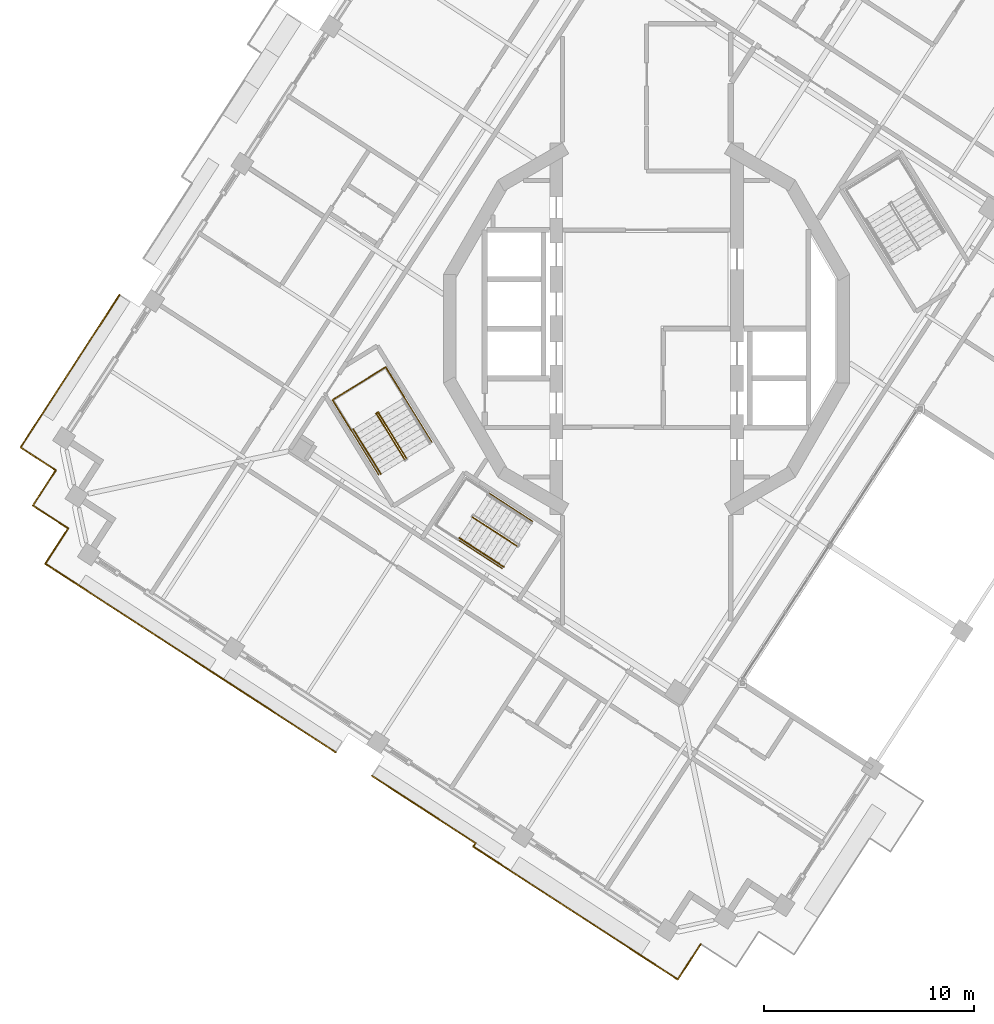
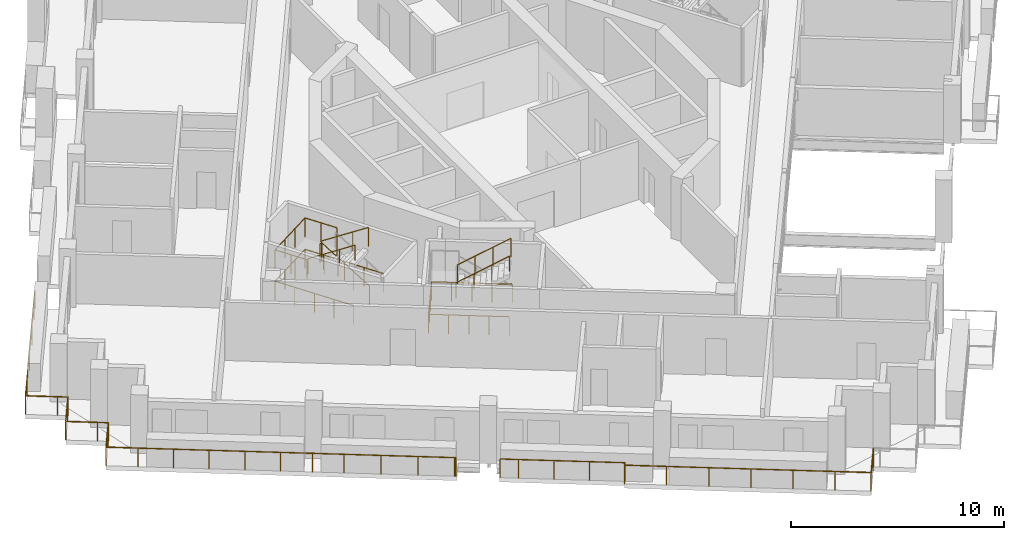
# One storey, part 12 of 17: 11 railings.
"""IFC4 building model written with IfcOpenShell, lengths in metres."""

from ifc_helpers import new_model, si_unit, direction, frame, origin, origin_2d, place, context, subcontext, project, spatial, circle, extrude, material, type_object, element, save


model = new_model("IFC4")

# Units and contexts
model_context = context("Model", 3, precision=1e-05, world=origin(), true_north=direction((0.0, 1.0)))
body_context = subcontext(model_context, "Body", "Model", "MODEL_VIEW")
ifc_project = project(units=[si_unit("LENGTHUNIT", "METRE"), si_unit("AREAUNIT", "SQUARE_METRE"), si_unit("VOLUMEUNIT", "CUBIC_METRE"), si_unit("PLANEANGLEUNIT", "RADIAN"), si_unit("MASSUNIT", "GRAM", prefix="KILO")], contexts=[model_context])

# Site, building, storey
site_placement = place(None, origin())
site = spatial("IfcSite", under=ifc_project, at=site_placement, CompositionType="ELEMENT")
building_placement = place(site_placement, origin())
building = spatial("IfcBuilding", under=site, at=building_placement, Name="Cantera Rosa Tower", CompositionType="ELEMENT")
storey_placement = place(building_placement, frame((0.0, 0.0, 254.10009765625)))
storey = spatial("IfcBuildingStorey", under=building, at=storey_placement, Name="L56", CompositionType="ELEMENT", Elevation=254.10009765625)

# Railings
ifc_material_1 = material(Name="Stainless steel and laminated glass", Category="steel")
railing_type_1 = type_object("IfcRailingType", Name="GUARD 1100", PredefinedType="BALUSTRADE", material=ifc_material_1)
railing_1_placement = place(storey_placement, frame((2.571533203125, -29.273193359375, 0.0)))
element("IfcRailing", 1, at=railing_1_placement, inside=storey, type_object=railing_type_1, Name="GUARD L56-1", PredefinedType="BALUSTRADE", context=body_context, shape_type="SweptSolid", body=[
    extrude(circle(Radius=0.030029296875, at=origin_2d()), frame((0.0, 0.0, 1.070068359375), z_axis=(-0.5443304008, -0.838870916629, 0.0), x_axis=(0.838870916629, -0.5443304008, 0.0)), (0.0, 0.0, 1.0), 0.300048828125),
    extrude(circle(Radius=0.030029296875, at=origin_2d()), frame((-0.163330078125, -0.251708984375, 1.070068359375), z_axis=(-0.544751065329, -0.83859780397, 0.0), x_axis=(0.83859780397, -0.544751065329, 0.0)), (0.0, 0.0, 1.0), 1.699951171875),
    extrude(circle(Radius=0.030029296875, at=origin_2d()), frame((-1.08935546875, -1.67724609375, 1.070068359375), z_axis=(-0.838663412569, 0.54465005317, 0.0), x_axis=(-0.54465005317, -0.838663412569, 0.0)), (0.0, 0.0, 1.0), 1.69970703125),
    extrude(circle(Radius=0.030029296875, at=origin_2d()), frame((-2.514892578125, -0.75146484375, 1.070068359375), z_axis=(-0.83867848478, 0.544626843964, 0.0), x_axis=(-0.544626843964, -0.83867848478, 0.0)), (0.0, 0.0, 1.0), 9.900146484375),
    extrude(circle(Radius=0.030029296875, at=origin_2d()), frame((-10.81787109375, 4.640380859375, 1.070068359375), z_axis=(0.544516215992, 0.838750314767, 0.0), x_axis=(-0.838750314767, 0.544516215992, 0.0)), (0.0, 0.0, 1.0), 0.199951171875),
    extrude(circle(Radius=0.030029296875, at=origin_2d()), frame((-10.708984375, 4.80810546875, 1.070068359375), z_axis=(-0.838653278808, 0.544665657027, 0.0), x_axis=(-0.544665657027, -0.838653278808, 0.0)), (0.0, 0.0, 1.0), 5.0),
    extrude(circle(Radius=0.030029296875, at=origin_2d()), frame((-14.90234375, 7.531494140625, 1.070068359375), z_axis=(-0.838725681888, 0.544554157584, 0.0), x_axis=(-0.544554157584, -0.838725681888, 0.0)), (0.0, 0.0, 1.0), 0.869873046875),
    extrude(circle(Radius=0.02490234375, at=origin_2d()), origin(), (0.0, 0.0, 1.0), 1.0400390625),
    extrude(circle(Radius=0.02490234375, at=origin_2d()), frame((-0.163330078125, -0.251708984375, 0.0)), (0.0, 0.0, 1.0), 1.0400390625),
    extrude(circle(Radius=0.02490234375, at=origin_2d()), frame((-1.08935546875, -1.67724609375, 0.0)), (0.0, 0.0, 1.0), 1.0400390625),
    extrude(circle(Radius=0.02490234375, at=origin_2d()), frame((-2.514892578125, -0.75146484375, 0.0)), (0.0, 0.0, 1.0), 1.0400390625),
    extrude(circle(Radius=0.02490234375, at=origin_2d()), frame((-4.175537109375, 0.326904296875, 0.0)), (0.0, 0.0, 1.0), 1.0400390625),
    extrude(circle(Radius=0.02490234375, at=origin_2d()), frame((-5.836181640625, 1.4052734375, 0.0)), (0.0, 0.0, 1.0), 1.0400390625),
    extrude(circle(Radius=0.02490234375, at=origin_2d()), frame((-7.49658203125, 2.483642578125, 0.0)), (0.0, 0.0, 1.0), 1.0400390625),
    extrude(circle(Radius=0.02490234375, at=origin_2d()), frame((-9.1572265625, 3.56201171875, 0.0)), (0.0, 0.0, 1.0), 1.0400390625),
    extrude(circle(Radius=0.02490234375, at=origin_2d()), frame((-10.81787109375, 4.640380859375, 0.0)), (0.0, 0.0, 1.0), 1.0400390625),
    extrude(circle(Radius=0.02490234375, at=origin_2d()), frame((-10.708984375, 4.80810546875, 0.0)), (0.0, 0.0, 1.0), 1.0400390625),
    extrude(circle(Radius=0.02490234375, at=origin_2d()), frame((-12.106689453125, 5.7158203125, 0.0)), (0.0, 0.0, 1.0), 1.0400390625),
    extrude(circle(Radius=0.02490234375, at=origin_2d()), frame((-13.504638671875, 6.623779296875, 0.0)), (0.0, 0.0, 1.0), 1.0400390625),
    extrude(circle(Radius=0.02490234375, at=origin_2d()), frame((-14.90234375, 7.531494140625, 0.0)), (0.0, 0.0, 1.0), 1.0400390625),
    extrude(circle(Radius=0.02490234375, at=origin_2d()), frame((-15.6318359375, 8.005126953125, 0.0)), (0.0, 0.0, 1.0), 1.0400390625),
])
railing_2_placement = place(storey_placement, frame((-28.3720703125, -7.151123046875, 0.0)))
element("IfcRailing", 2, at=railing_2_placement, inside=storey, type_object=railing_type_1, Name="GUARD L56-3", PredefinedType="BALUSTRADE", context=body_context, shape_type="SweptSolid", body=[
    extrude(circle(Radius=0.030029296875, at=origin_2d()), frame((0.0, 0.0, 1.070068359375), z_axis=(0.544627753175, 0.83867789435, 0.0), x_axis=(-0.83867789435, 0.544627753175, 0.0)), (0.0, 0.0, 1.0), 0.499755859375),
    extrude(circle(Radius=0.030029296875, at=origin_2d()), frame((0.272216796875, 0.419189453125, 1.070068359375), z_axis=(-0.838454772945, 0.544971186143, 0.0), x_axis=(-0.544971186143, -0.838454772945, 0.0)), (0.0, 0.0, 1.0), 0.5),
    extrude(circle(Radius=0.030029296875, at=origin_2d()), frame((-0.14697265625, 0.691650390625, 1.070068359375), z_axis=(-0.8387001057, 0.544593548161, 0.0), x_axis=(-0.544593548161, -0.8387001057, 0.0)), (0.0, 0.0, 1.0), 1.5),
    extrude(circle(Radius=0.030029296875, at=origin_2d()), frame((-1.405029296875, 1.508544921875, 1.070068359375), z_axis=(0.544593548161, 0.8387001057, 0.0), x_axis=(-0.8387001057, 0.544593548161, 0.0)), (0.0, 0.0, 1.0), 1.5),
    extrude(circle(Radius=0.030029296875, at=origin_2d()), frame((-0.588134765625, 2.7666015625, 1.070068359375), z_axis=(0.544645228423, 0.838666545867, 0.0), x_axis=(-0.838666545867, 0.544645228423, 0.0)), (0.0, 0.0, 1.0), 6.2783203125),
    extrude(circle(Radius=0.030029296875, at=origin_2d()), frame((2.831298828125, 8.031982421875, 1.070068359375), z_axis=(-0.832050294338, 0.554700196225, 0.0), x_axis=(-0.554700196225, -0.832050294338, 0.0)), (0.0, 0.0, 1.0), 0.001708984375),
    extrude(circle(Radius=0.030029296875, at=origin_2d()), frame((2.829833984375, 8.032958984375, 1.070068359375), z_axis=(0.544643812911, 0.838667465124, 0.0), x_axis=(-0.838667465124, 0.544643812911, 0.0)), (0.0, 0.0, 1.0), 0.871826171875),
    extrude(circle(Radius=0.02490234375, at=origin_2d()), origin(), (0.0, 0.0, 1.0), 1.0400390625),
    extrude(circle(Radius=0.02490234375, at=origin_2d()), frame((0.272216796875, 0.419189453125, 0.0)), (0.0, 0.0, 1.0), 1.0400390625),
    extrude(circle(Radius=0.02490234375, at=origin_2d()), frame((-0.14697265625, 0.691650390625, 0.0)), (0.0, 0.0, 1.0), 1.0400390625),
    extrude(circle(Radius=0.02490234375, at=origin_2d()), frame((-1.405029296875, 1.508544921875, 0.0)), (0.0, 0.0, 1.0), 1.0400390625),
    extrude(circle(Radius=0.02490234375, at=origin_2d()), frame((-0.588134765625, 2.7666015625, 0.0)), (0.0, 0.0, 1.0), 1.0400390625),
    extrude(circle(Radius=0.02490234375, at=origin_2d()), frame((0.5517578125, 4.521728515625, 0.0)), (0.0, 0.0, 1.0), 1.0400390625),
    extrude(circle(Radius=0.02490234375, at=origin_2d()), frame((1.69140625, 6.27685546875, 0.0)), (0.0, 0.0, 1.0), 1.0400390625),
    extrude(circle(Radius=0.02490234375, at=origin_2d()), frame((2.831298828125, 8.031982421875, 0.0)), (0.0, 0.0, 1.0), 1.0400390625),
    extrude(circle(Radius=0.02490234375, at=origin_2d()), frame((2.829833984375, 8.032958984375, 0.0)), (0.0, 0.0, 1.0), 1.0400390625),
    extrude(circle(Radius=0.02490234375, at=origin_2d()), frame((3.3046875, 8.76416015625, 0.0)), (0.0, 0.0, 1.0), 1.0400390625),
])
railing_3_placement = place(storey_placement, frame((-14.7880859375, -20.14599609375, 0.0)))
element("IfcRailing", 3, at=railing_3_placement, inside=storey, type_object=railing_type_1, Name="GUARD L56-4", PredefinedType="BALUSTRADE", context=body_context, shape_type="SweptSolid", body=[
    extrude(circle(Radius=0.030029296875, at=origin_2d()), frame((0.0, 0.0, 1.070068359375), z_axis=(-0.838443616301, 0.544988350595, 0.0), x_axis=(-0.544988350595, -0.838443616301, 0.0)), (0.0, 0.0, 1.0), 0.06982421875),
    extrude(circle(Radius=0.030029296875, at=origin_2d()), frame((-0.05859375, 0.0380859375, 1.070068359375), z_axis=(-0.838657010828, 0.544659910576, 0.0), x_axis=(-0.544659910576, -0.838657010828, 0.0)), (0.0, 0.0, 1.0), 5.2001953125),
    extrude(circle(Radius=0.030029296875, at=origin_2d()), frame((-4.419677734375, 2.870361328125, 1.070068359375), z_axis=(-0.8387001057, 0.544593548161, 0.0), x_axis=(-0.544593548161, -0.8387001057, 0.0)), (0.0, 0.0, 1.0), 3.0),
    extrude(circle(Radius=0.030029296875, at=origin_2d()), frame((-6.935791015625, 4.504150390625, 1.070068359375), z_axis=(-0.838666659313, 0.544645053734, 0.0), x_axis=(-0.544645053734, -0.838666659313, 0.0)), (0.0, 0.0, 1.0), 6.7001953125),
    extrude(circle(Radius=0.030029296875, at=origin_2d()), frame((-12.554931640625, 8.1533203125, 1.070068359375), z_axis=(-0.838651824232, 0.544667896716, 0.0), x_axis=(-0.544667896716, -0.838651824232, 0.0)), (0.0, 0.0, 1.0), 1.499755859375),
    extrude(circle(Radius=0.030029296875, at=origin_2d()), frame((-13.812744140625, 8.97021484375, 1.070068359375), z_axis=(0.544593548161, 0.8387001057, 0.0), x_axis=(-0.8387001057, 0.544593548161, 0.0)), (0.0, 0.0, 1.0), 1.5),
    extrude(circle(Radius=0.030029296875, at=origin_2d()), frame((-12.995849609375, 10.228271484375, 1.070068359375), z_axis=(0.544627753175, 0.83867789435, 0.0), x_axis=(-0.83867789435, 0.544627753175, 0.0)), (0.0, 0.0, 1.0), 0.499755859375),
    extrude(circle(Radius=0.030029296875, at=origin_2d()), frame((-12.7236328125, 10.6474609375, 1.070068359375), z_axis=(-0.838454772945, 0.544971186143, 0.0), x_axis=(-0.544971186143, -0.838454772945, 0.0)), (0.0, 0.0, 1.0), 0.5),
    extrude(circle(Radius=0.030029296875, at=origin_2d()), frame((-13.142822265625, 10.919921875, 1.070068359375), z_axis=(-0.8387001057, 0.544593548161, 0.0), x_axis=(-0.544593548161, -0.8387001057, 0.0)), (0.0, 0.0, 1.0), 1.5),
    extrude(circle(Radius=0.030029296875, at=origin_2d()), frame((-14.40087890625, 11.73681640625, 1.070068359375), z_axis=(0.544593548161, 0.8387001057, 0.0), x_axis=(-0.8387001057, 0.544593548161, 0.0)), (0.0, 0.0, 1.0), 1.5),
    extrude(circle(Radius=0.02490234375, at=origin_2d()), origin(), (0.0, 0.0, 1.0), 1.0400390625),
    extrude(circle(Radius=0.02490234375, at=origin_2d()), frame((-0.05859375, 0.0380859375, 0.0)), (0.0, 0.0, 1.0), 1.0400390625),
    extrude(circle(Radius=0.02490234375, at=origin_2d()), frame((-1.51220703125, 0.982177734375, 0.0)), (0.0, 0.0, 1.0), 1.0400390625),
    extrude(circle(Radius=0.02490234375, at=origin_2d()), frame((-2.966064453125, 1.92626953125, 0.0)), (0.0, 0.0, 1.0), 1.0400390625),
    extrude(circle(Radius=0.02490234375, at=origin_2d()), frame((-4.419677734375, 2.870361328125, 0.0)), (0.0, 0.0, 1.0), 1.0400390625),
    extrude(circle(Radius=0.02490234375, at=origin_2d()), frame((-5.677734375, 3.687255859375, 0.0)), (0.0, 0.0, 1.0), 1.0400390625),
    extrude(circle(Radius=0.02490234375, at=origin_2d()), frame((-6.935791015625, 4.504150390625, 0.0)), (0.0, 0.0, 1.0), 1.0400390625),
    extrude(circle(Radius=0.02490234375, at=origin_2d()), frame((-8.340576171875, 5.41650390625, 0.0)), (0.0, 0.0, 1.0), 1.0400390625),
    extrude(circle(Radius=0.02490234375, at=origin_2d()), frame((-9.745361328125, 6.32861328125, 0.0)), (0.0, 0.0, 1.0), 1.0400390625),
    extrude(circle(Radius=0.02490234375, at=origin_2d()), frame((-11.150146484375, 7.240966796875, 0.0)), (0.0, 0.0, 1.0), 1.0400390625),
    extrude(circle(Radius=0.02490234375, at=origin_2d()), frame((-12.554931640625, 8.1533203125, 0.0)), (0.0, 0.0, 1.0), 1.0400390625),
    extrude(circle(Radius=0.02490234375, at=origin_2d()), frame((-13.812744140625, 8.97021484375, 0.0)), (0.0, 0.0, 1.0), 1.0400390625),
    extrude(circle(Radius=0.02490234375, at=origin_2d()), frame((-12.995849609375, 10.228271484375, 0.0)), (0.0, 0.0, 1.0), 1.0400390625),
    extrude(circle(Radius=0.02490234375, at=origin_2d()), frame((-12.7236328125, 10.6474609375, 0.0)), (0.0, 0.0, 1.0), 1.0400390625),
    extrude(circle(Radius=0.02490234375, at=origin_2d()), frame((-13.142822265625, 10.919921875, 0.0)), (0.0, 0.0, 1.0), 1.0400390625),
    extrude(circle(Radius=0.02490234375, at=origin_2d()), frame((-14.40087890625, 11.73681640625, 0.0)), (0.0, 0.0, 1.0), 1.0400390625),
    extrude(circle(Radius=0.02490234375, at=origin_2d()), frame((-13.583984375, 12.994873046875, 0.0)), (0.0, 0.0, 1.0), 1.0400390625),
])
ifc_material_2 = material(Name="Steel S355J2 (EN 10025-2)", Category="steel")
railing_type_2 = type_object("IfcRailingType", Name="STAIR GUARD 1100", PredefinedType="GUARDRAIL", material=ifc_material_2)
railing_4_placement = place(storey_placement, frame((-11.42333984375, -6.165771484375, 0.179931640625)))
element("IfcRailing", 4, at=railing_4_placement, inside=storey, type_object=railing_type_2, Name="L56 ST-52 stair guard 1", PredefinedType="GUARDRAIL", context=body_context, shape_type="SweptSolid", body=[
    extrude(circle(Radius=0.02392578125, at=origin_2d()), frame((0.0, 0.0, 1.076171875), z_axis=(-0.441628529057, 0.715945124149, 0.540728047664), x_axis=(-0.851102330005, -0.524999832248, 0.0)), (0.0, 0.0, 1.0), 2.99560546875),
    extrude(circle(Radius=0.02392578125, at=origin_2d()), frame((-1.322998046875, 2.144775390625, 2.69580078125), z_axis=(-0.073711968402, 0.997279572494, 0.0), x_axis=(-0.997279572494, -0.073711968402, 0.0)), (0.0, 0.0, 1.0), 0.056396484375),
    extrude(circle(Radius=0.02392578125, at=origin_2d()), frame((-1.3271484375, 2.200927734375, 2.69580078125), z_axis=(-0.851546489876, -0.524279100842, 0.0), x_axis=(0.524279100842, -0.851546489876, 0.0)), (0.0, 0.0, 1.0), 0.14990234375),
    extrude(circle(Radius=0.02099609375, at=origin_2d()), origin(), (0.0, 0.0, 1.0), 1.052001953125),
    extrude(circle(Radius=0.02099609375, at=origin_2d()), frame((-0.44091796875, 0.71484375, 0.5400390625)), (0.0, 0.0, 1.0), 1.052001953125),
    extrude(circle(Radius=0.02099609375, at=origin_2d()), frame((-0.882080078125, 1.429931640625, 1.079833984375)), (0.0, 0.0, 1.0), 1.052001953125),
    extrude(circle(Radius=0.02099609375, at=origin_2d()), frame((-1.322998046875, 2.144775390625, 1.619873046875)), (0.0, 0.0, 1.0), 1.052001953125),
    extrude(circle(Radius=0.02099609375, at=origin_2d()), frame((-1.3271484375, 2.200927734375, 1.619873046875)), (0.0, 0.0, 1.0), 1.052001953125),
    extrude(circle(Radius=0.02099609375, at=origin_2d()), frame((-1.454833984375, 2.122314453125, 1.619873046875)), (0.0, 0.0, 1.0), 1.052001953125),
])
railing_5_placement = place(storey_placement, frame((-12.82958984375, -4.072509765625, 1.97998046875)))
element("IfcRailing", 5, at=railing_5_placement, inside=storey, type_object=railing_type_2, Name="L56 ST-52 stair guard 2", PredefinedType="GUARDRAIL", context=body_context, shape_type="SweptSolid", body=[
    extrude(circle(Radius=0.02392578125, at=origin_2d()), frame((0.0, 0.0, 1.076171875), z_axis=(0.441562923896, -0.715970890813, 0.540747508315), x_axis=(0.851145618652, 0.524929648476, 0.0)), (0.0, 0.0, 1.0), 2.99560546875),
    extrude(circle(Radius=0.02099609375, at=origin_2d()), origin(), (0.0, 0.0, 1.0), 1.052001953125),
    extrude(circle(Radius=0.02099609375, at=origin_2d()), frame((0.44091796875, -0.71484375, 0.5400390625)), (0.0, 0.0, 1.0), 1.052001953125),
    extrude(circle(Radius=0.02099609375, at=origin_2d()), frame((0.8818359375, -1.429931640625, 1.079833984375)), (0.0, 0.0, 1.0), 1.052001953125),
    extrude(circle(Radius=0.02099609375, at=origin_2d()), frame((1.32275390625, -2.144775390625, 1.619873046875)), (0.0, 0.0, 1.0), 1.052001953125),
])
railing_6_placement = place(storey_placement, frame((-10.20751953125, -5.40185546875, 0.0)))
element("IfcRailing", 6, at=railing_6_placement, inside=storey, type_object=railing_type_2, Name="L56 ST-52 stair guard 4", PredefinedType="GUARDRAIL", context=body_context, shape_type="SweptSolid", body=[
    extrude(circle(Radius=0.02392578125, at=origin_2d()), frame((0.0, 0.0, 1.076171875), z_axis=(-0.524976478809, 0.851116735059, 0.0), x_axis=(-0.851116735059, -0.524976478809, 0.0)), (0.0, 0.0, 1.0), 4.197998046875),
    extrude(circle(Radius=0.02392578125, at=origin_2d()), frame((-2.203857421875, 3.572998046875, 1.076171875), z_axis=(-0.851132917336, -0.524950242429, 0.0), x_axis=(0.524950242429, -0.851132917336, 0.0)), (0.0, 0.0, 1.0), 2.969970703125),
    extrude(circle(Radius=0.02392578125, at=origin_2d()), frame((-4.731689453125, 2.013916015625, 1.076171875), z_axis=(0.524976478809, -0.851116735059, 0.0), x_axis=(0.851116735059, 0.524976478809, 0.0)), (0.0, 0.0, 1.0), 4.197998046875),
    extrude(circle(Radius=0.02099609375, at=origin_2d()), origin(), (0.0, 0.0, 1.0), 1.052001953125),
    extrude(circle(Radius=0.02099609375, at=origin_2d()), frame((-0.551025390625, 0.893310546875, 0.0)), (0.0, 0.0, 1.0), 1.052001953125),
    extrude(circle(Radius=0.02099609375, at=origin_2d()), frame((-1.10205078125, 1.78662109375, 0.0)), (0.0, 0.0, 1.0), 1.052001953125),
    extrude(circle(Radius=0.02099609375, at=origin_2d()), frame((-1.65283203125, 2.6796875, 0.0)), (0.0, 0.0, 1.0), 1.052001953125),
    extrude(circle(Radius=0.02099609375, at=origin_2d()), frame((-2.203857421875, 3.572998046875, 0.0)), (0.0, 0.0, 1.0), 1.052001953125),
    extrude(circle(Radius=0.02099609375, at=origin_2d()), frame((-3.04638671875, 3.05322265625, 0.0)), (0.0, 0.0, 1.0), 1.052001953125),
    extrude(circle(Radius=0.02099609375, at=origin_2d()), frame((-3.88916015625, 2.53369140625, 0.0)), (0.0, 0.0, 1.0), 1.052001953125),
    extrude(circle(Radius=0.02099609375, at=origin_2d()), frame((-4.731689453125, 2.013916015625, 0.0)), (0.0, 0.0, 1.0), 1.052001953125),
    extrude(circle(Radius=0.02099609375, at=origin_2d()), frame((-4.1806640625, 1.12060546875, 0.0)), (0.0, 0.0, 1.0), 1.052001953125),
    extrude(circle(Radius=0.02099609375, at=origin_2d()), frame((-3.6298828125, 0.2275390625, 0.0)), (0.0, 0.0, 1.0), 1.052001953125),
    extrude(circle(Radius=0.02099609375, at=origin_2d()), frame((-3.078857421875, -0.665771484375, 0.0)), (0.0, 0.0, 1.0), 1.052001953125),
    extrude(circle(Radius=0.02099609375, at=origin_2d()), frame((-2.52783203125, -1.55908203125, 0.0)), (0.0, 0.0, 1.0), 1.052001953125),
])
railing_7_placement = place(storey_placement, frame((-11.517822265625, -3.27734375, 1.7998046875)))
element("IfcRailing", 7, at=railing_7_placement, inside=storey, type_object=railing_type_2, Name="L56 ST-52 stair guard 5", PredefinedType="GUARDRAIL", context=body_context, shape_type="SweptSolid", body=[
    extrude(circle(Radius=0.02392578125, at=origin_2d()), frame((0.0, 0.0, 1.076171875), z_axis=(-0.525025534833, 0.851086474909, 0.0), x_axis=(-0.851086474909, -0.525025534833, 0.0)), (0.0, 0.0, 1.0), 1.701904296875),
    extrude(circle(Radius=0.02392578125, at=origin_2d()), frame((-0.8935546875, 1.448486328125, 1.076171875), z_axis=(-0.851132917336, -0.524950242429, 0.0), x_axis=(0.524950242429, -0.851132917336, 0.0)), (0.0, 0.0, 1.0), 2.969970703125),
    extrude(circle(Radius=0.02392578125, at=origin_2d()), frame((-3.42138671875, -0.110595703125, 1.076171875), z_axis=(0.524961441845, -0.851126009811, 0.0), x_axis=(0.851126009811, 0.524961441845, 0.0)), (0.0, 0.0, 1.0), 1.7021484375),
    extrude(circle(Radius=0.02099609375, at=origin_2d()), origin(), (0.0, 0.0, 1.0), 1.052001953125),
    extrude(circle(Radius=0.02099609375, at=origin_2d()), frame((-0.44677734375, 0.72412109375, 0.0)), (0.0, 0.0, 1.0), 1.052001953125),
    extrude(circle(Radius=0.02099609375, at=origin_2d()), frame((-0.8935546875, 1.448486328125, 0.0)), (0.0, 0.0, 1.0), 1.052001953125),
    extrude(circle(Radius=0.02099609375, at=origin_2d()), frame((-1.736083984375, 0.9287109375, 0.0)), (0.0, 0.0, 1.0), 1.052001953125),
    extrude(circle(Radius=0.02099609375, at=origin_2d()), frame((-2.578857421875, 0.4091796875, 0.0)), (0.0, 0.0, 1.0), 1.052001953125),
    extrude(circle(Radius=0.02099609375, at=origin_2d()), frame((-3.42138671875, -0.110595703125, 0.0)), (0.0, 0.0, 1.0), 1.052001953125),
    extrude(circle(Radius=0.02099609375, at=origin_2d()), frame((-2.974609375, -0.8349609375, 0.0)), (0.0, 0.0, 1.0), 1.052001953125),
    extrude(circle(Radius=0.02099609375, at=origin_2d()), frame((-2.52783203125, -1.559326171875, 0.0)), (0.0, 0.0, 1.0), 1.052001953125),
])
railing_8_placement = place(storey_placement, frame((-8.270751953125, -8.963134765625, 1.97998046875)))
element("IfcRailing", 8, at=railing_8_placement, inside=storey, type_object=railing_type_2, Name="L56 ST-53 stair guard 2", PredefinedType="GUARDRAIL", context=body_context, shape_type="SweptSolid", body=[
    extrude(circle(Radius=0.02392578125, at=origin_2d()), frame((0.0, 0.0, 1.076171875), z_axis=(0.705478509026, -0.458120921815, 0.540763621463), x_axis=(0.54462048956, 0.838682611213, 0.0)), (0.0, 0.0, 1.0), 2.99560546875),
    extrude(circle(Radius=0.02099609375, at=origin_2d()), origin(), (0.0, 0.0, 1.0), 1.052001953125),
    extrude(circle(Radius=0.02099609375, at=origin_2d()), frame((0.704345703125, -0.45751953125, 0.5400390625)), (0.0, 0.0, 1.0), 1.052001953125),
    extrude(circle(Radius=0.02099609375, at=origin_2d()), frame((1.408935546875, -0.914794921875, 1.079833984375)), (0.0, 0.0, 1.0), 1.052001953125),
    extrude(circle(Radius=0.02099609375, at=origin_2d()), frame((2.11328125, -1.372314453125, 1.619873046875)), (0.0, 0.0, 1.0), 1.052001953125),
])
railing_9_placement = place(storey_placement, frame((-5.41357421875, -9.168212890625, 0.0)))
element("IfcRailing", 9, at=railing_9_placement, inside=storey, type_object=railing_type_2, Name="L56 ST-53 stair guard 4", PredefinedType="GUARDRAIL", context=body_context, shape_type="SweptSolid", body=[
    extrude(circle(Radius=0.02392578125, at=origin_2d()), frame((0.0, 0.0, 1.076171875), z_axis=(-0.838665308336, 0.544647134018, 0.0), x_axis=(-0.544647134018, -0.838665308336, 0.0)), (0.0, 0.0, 1.0), 3.798095703125),
    extrude(circle(Radius=0.02392578125, at=origin_2d()), frame((-3.185302734375, 2.068603515625, 1.076171875), z_axis=(-0.544679779991, -0.838644106442, 0.0), x_axis=(0.838644106442, -0.544679779991, 0.0)), (0.0, 0.0, 1.0), 2.670166015625),
    extrude(circle(Radius=0.02392578125, at=origin_2d()), frame((-4.6396484375, -0.170654296875, 1.076171875), z_axis=(0.838665308336, -0.544647134018, 0.0), x_axis=(0.544647134018, 0.838665308336, 0.0)), (0.0, 0.0, 1.0), 3.798095703125),
    extrude(circle(Radius=0.02099609375, at=origin_2d()), origin(), (0.0, 0.0, 1.0), 1.052001953125),
    extrude(circle(Radius=0.02099609375, at=origin_2d()), frame((-0.79638671875, 0.51708984375, 0.0)), (0.0, 0.0, 1.0), 1.052001953125),
    extrude(circle(Radius=0.02099609375, at=origin_2d()), frame((-1.5927734375, 1.0341796875, 0.0)), (0.0, 0.0, 1.0), 1.052001953125),
    extrude(circle(Radius=0.02099609375, at=origin_2d()), frame((-2.388916015625, 1.551513671875, 0.0)), (0.0, 0.0, 1.0), 1.052001953125),
    extrude(circle(Radius=0.02099609375, at=origin_2d()), frame((-3.185302734375, 2.068603515625, 0.0)), (0.0, 0.0, 1.0), 1.052001953125),
    extrude(circle(Radius=0.02099609375, at=origin_2d()), frame((-3.670166015625, 1.322265625, 0.0)), (0.0, 0.0, 1.0), 1.052001953125),
    extrude(circle(Radius=0.02099609375, at=origin_2d()), frame((-4.15478515625, 0.57568359375, 0.0)), (0.0, 0.0, 1.0), 1.052001953125),
    extrude(circle(Radius=0.02099609375, at=origin_2d()), frame((-4.6396484375, -0.170654296875, 0.0)), (0.0, 0.0, 1.0), 1.052001953125),
    extrude(circle(Radius=0.02099609375, at=origin_2d()), frame((-3.84326171875, -0.687744140625, 0.0)), (0.0, 0.0, 1.0), 1.052001953125),
    extrude(circle(Radius=0.02099609375, at=origin_2d()), frame((-3.046875, -1.205078125, 0.0)), (0.0, 0.0, 1.0), 1.052001953125),
    extrude(circle(Radius=0.02099609375, at=origin_2d()), frame((-2.250732421875, -1.72216796875, 0.0)), (0.0, 0.0, 1.0), 1.052001953125),
    extrude(circle(Radius=0.02099609375, at=origin_2d()), frame((-1.454345703125, -2.2392578125, 0.0)), (0.0, 0.0, 1.0), 1.052001953125),
])
ifc_material_3 = material(Name="Steel S355J2 (EN 10025-2)", Category="steel")
railing_type_3 = type_object("IfcRailingType", Name="STAIR HANDRAIL 900", PredefinedType="HANDRAIL", material=ifc_material_3)
railing_10_placement = place(storey_placement, frame((-13.958251953125, -4.7685546875, 1.97998046875)))
element("IfcRailing", 10, at=railing_10_placement, inside=storey, type_object=railing_type_3, Name="L56 ST-52 stair handrail 2", PredefinedType="HANDRAIL", context=body_context, shape_type="SweptSolid", body=[
    extrude(circle(Radius=0.02392578125, at=origin_2d()), frame((0.0, 0.0, 0.8759765625), z_axis=(0.441628529057, -0.715945124149, 0.540728047664), x_axis=(0.851102330005, 0.524999832248, 0.0)), (0.0, 0.0, 1.0), 2.99560546875),
    extrude(circle(Radius=0.02099609375, at=origin_2d()), origin(), (0.0, 0.0, 1.0), 0.851806640625),
    extrude(circle(Radius=0.02099609375, at=origin_2d()), frame((0.44091796875, -0.71484375, 0.5400390625)), (0.0, 0.0, 1.0), 0.851806640625),
    extrude(circle(Radius=0.02099609375, at=origin_2d()), frame((0.882080078125, -1.429931640625, 1.079833984375)), (0.0, 0.0, 1.0), 0.851806640625),
    extrude(circle(Radius=0.02099609375, at=origin_2d()), frame((1.322998046875, -2.144775390625, 1.619873046875)), (0.0, 0.0, 1.0), 0.851806640625),
])
railing_11_placement = place(storey_placement, frame((-8.911376953125, -9.94921875, 1.97998046875)))
element("IfcRailing", 11, at=railing_11_placement, inside=storey, type_object=railing_type_3, Name="L56 ST-53 stair handrail 2", PredefinedType="HANDRAIL", context=body_context, shape_type="SweptSolid", body=[
    extrude(circle(Radius=0.02392578125, at=origin_2d()), frame((0.0, 0.0, 0.8759765625), z_axis=(0.705493103535, -0.458158972863, 0.540712341684), x_axis=(0.544644381691, 0.838667095749, 0.0)), (0.0, 0.0, 1.0), 2.995849609375),
    extrude(circle(Radius=0.02099609375, at=origin_2d()), origin(), (0.0, 0.0, 1.0), 0.851806640625),
    extrude(circle(Radius=0.02099609375, at=origin_2d()), frame((0.70458984375, -0.45751953125, 0.5400390625)), (0.0, 0.0, 1.0), 0.851806640625),
    extrude(circle(Radius=0.02099609375, at=origin_2d()), frame((1.408935546875, -0.9150390625, 1.079833984375)), (0.0, 0.0, 1.0), 0.851806640625),
    extrude(circle(Radius=0.02099609375, at=origin_2d()), frame((2.113525390625, -1.37255859375, 1.619873046875)), (0.0, 0.0, 1.0), 0.851806640625),
])

save(model, "model.ifc")
